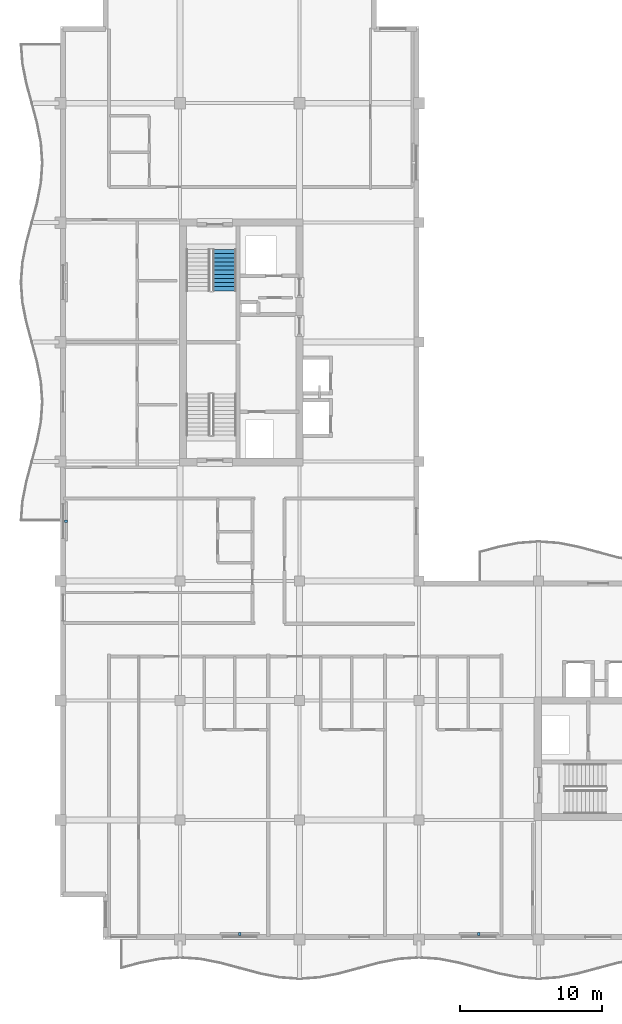
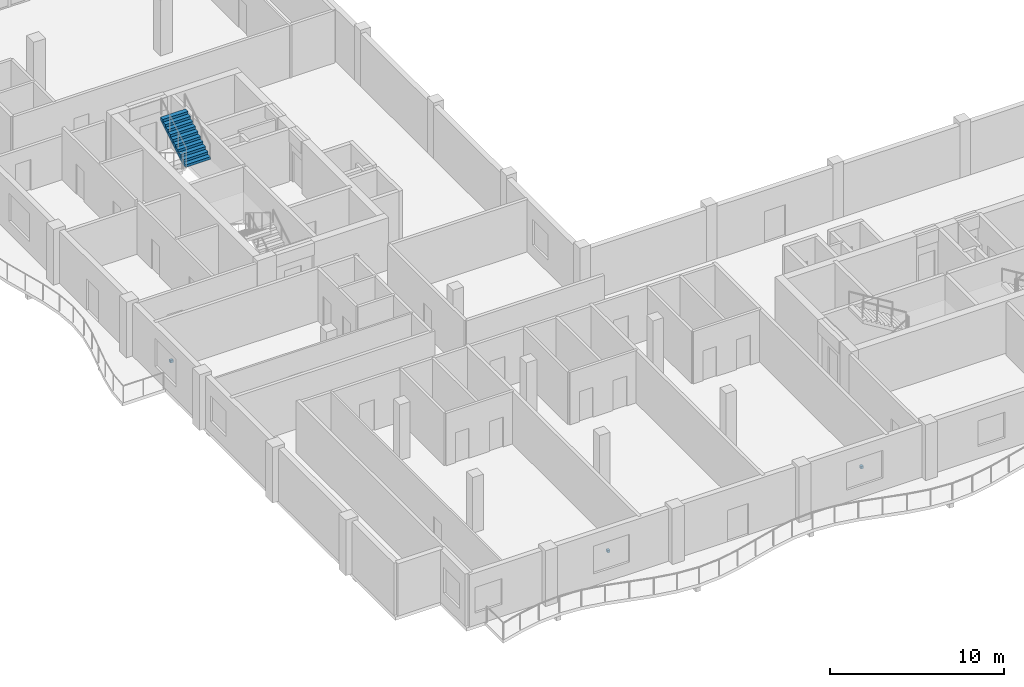
# One storey, part 11 of 17: 3 discrete accessories, 1 stair flight, 1 element without a shape of its own.
"""IFC4 building model written with IfcOpenShell, lengths in metres."""

from ifc_helpers import new_model, si_unit, direction, frame, origin, origin_2d, place, context, subcontext, project, spatial, polyline, rectangle, outline, extrude, material, type_object, element, aggregate, save


model = new_model("IFC4")

# Units and contexts
model_context = context("Model", 3, precision=1e-05, world=origin(), true_north=direction((0.0, 1.0)))
body_context = subcontext(model_context, "Body", "Model", "MODEL_VIEW")
ifc_project = project(units=[si_unit("LENGTHUNIT", "METRE"), si_unit("AREAUNIT", "SQUARE_METRE"), si_unit("VOLUMEUNIT", "CUBIC_METRE"), si_unit("PLANEANGLEUNIT", "RADIAN"), si_unit("MASSUNIT", "GRAM", prefix="KILO")], contexts=[model_context])

# Site, building, storey
site_placement = place(None, origin())
site = spatial("IfcSite", under=ifc_project, at=site_placement, CompositionType="ELEMENT")
building_placement = place(site_placement, origin())
building = spatial("IfcBuilding", under=site, at=building_placement, Name="Koriwani Terraces Tower", CompositionType="ELEMENT")
storey_placement = place(building_placement, frame((0.0, 0.0, 316.39990234375)))
storey = spatial("IfcBuildingStorey", under=building, at=storey_placement, Name="L78", CompositionType="ELEMENT", Elevation=316.39990234375)

# Stair, stair flight
ifc_material_1 = material(Name="Concrete C40/50", Category="concrete")
stair_type = type_object("IfcStairType", Name="STAIR_CORE_DOGLEG_1650", PredefinedType="TWO_STRAIGHT_RUN_STAIR", material=ifc_material_1)
stair_placement = place(storey_placement, origin())
stair = element("IfcStair", 1, at=stair_placement, inside=storey, type_object=stair_type, Name="L78 West Core Exit Stair 2", PredefinedType="HALF_TURN_STAIR")
stair_flight_type = type_object("IfcStairFlightType", Name="STAIR_FLIGHT_RC_1650", PredefinedType="STRAIGHT", material=ifc_material_1)
stair_flight_placement = place(storey_placement, frame((19.925048828125, 54.0, 1.9501953125), z_axis=(0.0, 0.0, 1.0), x_axis=(0.0, 1.0, 0.0)))
stair_flight = element("IfcStairFlight", 2, at=stair_flight_placement, type_object=stair_flight_type, Name="ST-W2 flight 2", NumberOfRisers=11, NumberOfTreads=10, PredefinedType="STRAIGHT", RiserHeight=0.177272727, TreadLength=0.29, context=body_context, shape_type="SweptSolid", body=[
    extrude(outline(polyline([(0.0, 0.0), (0.0, 0.17724609375), (0.2900390625, 0.17724609375), (0.2900390625, 0.3544921875), (0.580078125, 0.3544921875), (0.580078125, 0.53173828125), (0.8701171875, 0.53173828125), (0.8701171875, 0.708984375), (1.159912109375, 0.708984375), (1.159912109375, 0.886474609375), (1.449951171875, 0.886474609375), (1.449951171875, 1.063720703125), (1.739990234375, 1.063720703125), (1.739990234375, 1.240966796875), (2.030029296875, 1.240966796875), (2.030029296875, 1.418212890625), (2.320068359375, 1.418212890625), (2.320068359375, 1.595458984375), (2.610107421875, 1.595458984375), (2.610107421875, 1.772705078125), (2.89990234375, 1.772705078125), (2.89990234375, 1.949951171875), (2.89990234375, 1.561767578125), (0.344970703125, 0.0), (0.0, 0.0)])), frame((0.0, 0.824951171875, 0.0), z_axis=(0.0, -1.0, 0.0), x_axis=(1.0, 0.0, 0.0)), (0.0, 0.0, 1.0), 1.64990234375),
])
aggregate(stair, [stair_flight])

# Discrete accessories
ifc_material_2 = material(Name="Steel ASTM A572 Grade 50", Category="steel")
discrete_accessory_type = type_object("IfcDiscreteAccessoryType", Name="BAGUETTE_STANDOFF_BRACKET", PredefinedType="BRACKET", material=ifc_material_2)
for number, where, z_axis, x_axis, name in (
    (3, (8.7900390625, 37.800048828125, 1.7451171875), (0.0, 0.0, 1.0), (0.0, 1.0, 0.0), "L78 Terracotta Baguette Bracket (W-9)"),
    (4, (21.0, 8.7900390625, 1.7451171875), (0.0, 0.0, 1.0), (-1.0, 0.0, 0.0), "L78 Terracotta Baguette Bracket (S-3)"),
    (5, (37.800048828125, 8.7900390625, 1.7451171875), (0.0, 0.0, 1.0), (-1.0, 0.0, 0.0), "L78 Terracotta Baguette Bracket (S-9)"),
):
    element("IfcDiscreteAccessory", number, at=place(storey_placement, frame(where, z_axis=z_axis, x_axis=x_axis)), inside=storey, type_object=discrete_accessory_type, Name=name, PredefinedType="BRACKET", context=body_context, shape_type="SweptSolid", body=[
        extrude(rectangle(XDim=0.159912109375, YDim=0.199951171875, at=origin_2d()), origin(), (0.0, 0.0, 1.0), 0.179931640625),
    ])

save(model, "model.ifc")
